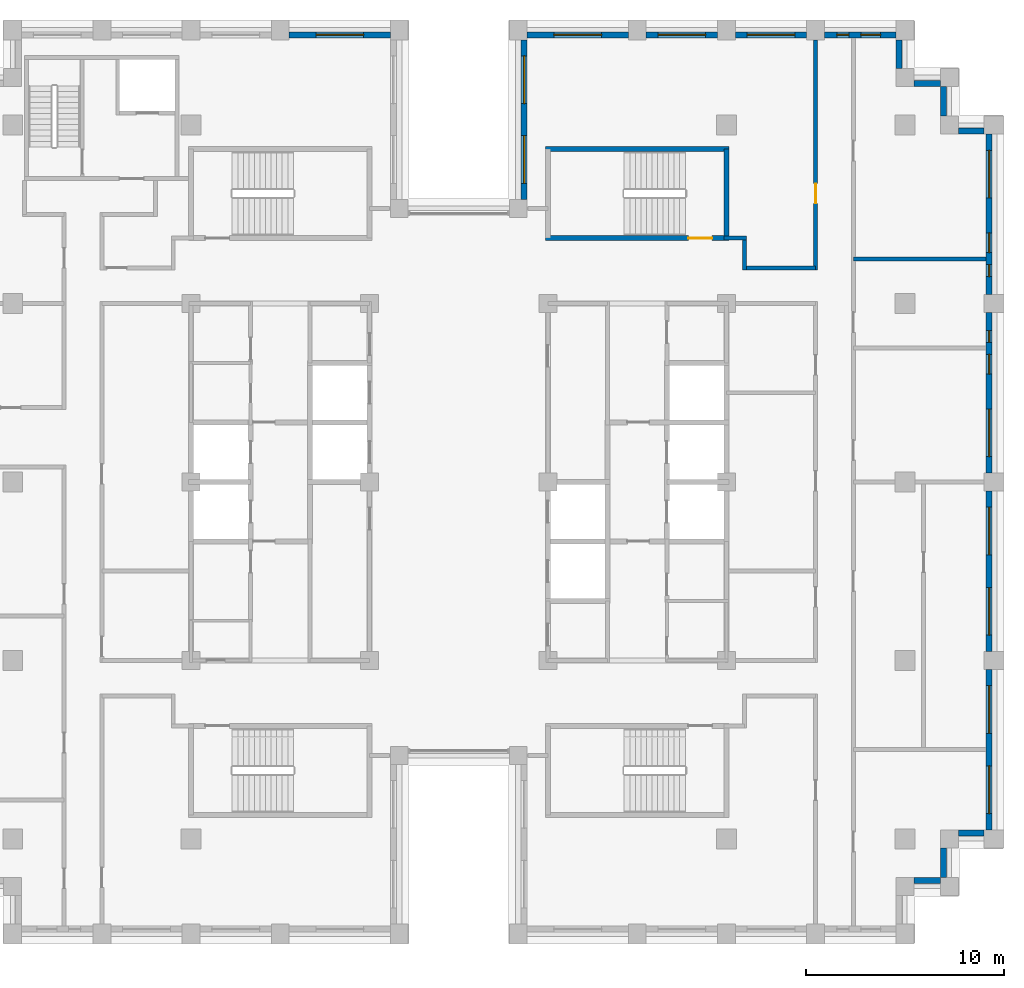
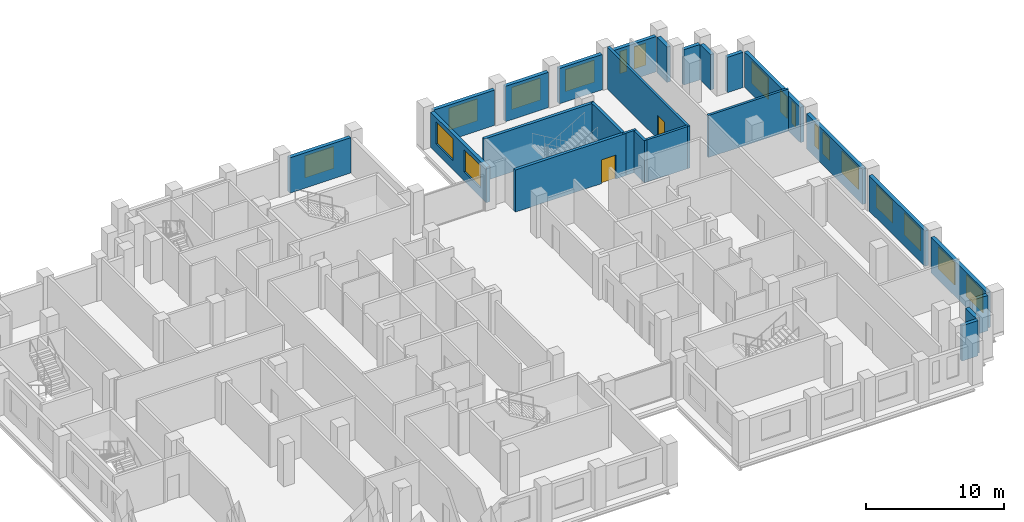
# One storey, part 11 of 15: 25 walls, 18 windows, 2 doors, 20 openings.
"""IFC4 building model written with IfcOpenShell, lengths in metres."""

import ifcopenshell
import ifcopenshell.guid

model = None  # the IFC model being written
_history = None  # IfcOwnerHistory: only IFC2X3 demands one
_inside = {}  # id of a spatial element -> (the spatial element, [elements in it])
_under = {}  # id of a project, library or spatial element -> (it, [spatial elements below it])
_declared = {}  # id of a project -> (the project, [libraries it declares])
_typed = {}  # id of a type object -> (the type object, [elements of that type])
_made_of = {}  # id of a material, layer set ... -> (it, [elements and type objects made of it])


def new_model(schema):
    """Start an empty IFC model of exactly this schema.

    Asked for "IFC4X3", IfcOpenShell would pick the latest addendum, in which some entities
    have other attributes; the version numbers below select the first issue.
    IFC2X3 requires an IfcOwnerHistory on every rooted entity: one is made here for all.
    """
    global model, _history
    if schema == "IFC4X3":
        model = ifcopenshell.file(schema_version=(4, 3, 0, 0))
    else:
        model = ifcopenshell.file(schema=schema)
    _inside.clear()
    _under.clear()
    _declared.clear()
    _typed.clear()
    _made_of.clear()
    _history = None
    if model.schema == "IFC2X3":
        org = make("IfcOrganization", Name="unknown")
        user = make(
            "IfcPersonAndOrganization",
            ThePerson=make("IfcPerson", FamilyName="unknown"),
            TheOrganization=org,
        )
        app = make(
            "IfcApplication",
            ApplicationDeveloper=org,
            Version="unknown",
            ApplicationFullName="unknown",
            ApplicationIdentifier="unknown",
        )
        _history = make(
            "IfcOwnerHistory",
            OwningUser=user,
            OwningApplication=app,
            ChangeAction="ADDED",
            CreationDate=0,
        )
    return model


def make(cls, **values):
    """One entity of the class cls with the attributes given. An attribute that is None is left unset."""
    return model.create_entity(
        cls, **{name: value for name, value in values.items() if value is not None}
    )


def rooted(cls, **values):
    """An entity with a GlobalId (a new one), such as an element, a storey or a relation."""
    return make(cls, GlobalId=ifcopenshell.guid.new(), OwnerHistory=_history, **values)


def si_unit(unit_type, name, prefix=None):
    """IfcSIUnit, for example si_unit("LENGTHUNIT", "METRE", prefix="MILLI")."""
    return make("IfcSIUnit", UnitType=unit_type, Prefix=prefix, Name=name)


def assignment(units):
    """IfcUnitAssignment: the units of a project."""
    return None if units is None else make("IfcUnitAssignment", Units=units)


def point(xyz):
    """IfcCartesianPoint."""
    return None if xyz is None else make("IfcCartesianPoint", Coordinates=xyz)


def direction(xyz):
    """IfcDirection."""
    return None if xyz is None else make("IfcDirection", DirectionRatios=xyz)


def frame(location, z_axis=None, x_axis=None):
    """IfcAxis2Placement3D, a coordinate frame: its origin and axes. An axis left out is left unset."""
    return make(
        "IfcAxis2Placement3D",
        Location=point(location),
        Axis=direction(z_axis),
        RefDirection=direction(x_axis),
    )


def frame_2d(location, x_axis=None):
    """IfcAxis2Placement2D, a coordinate frame in the plane: its origin and x axis."""
    return make(
        "IfcAxis2Placement2D", Location=point(location), RefDirection=direction(x_axis)
    )


def origin():
    """The frame at (0, 0, 0) with its axes left unset."""
    return frame((0.0, 0.0, 0.0))


def place(relative_to, where):
    """IfcLocalPlacement: puts the frame where relative to a parent placement (None: the world)."""
    return make(
        "IfcLocalPlacement", PlacementRelTo=relative_to, RelativePlacement=where
    )


def context(
    kind, dimensions, precision=None, world=None, true_north=None, identifier=None
):
    """IfcGeometricRepresentationContext, for example the 3D "Model" context."""
    return make(
        "IfcGeometricRepresentationContext",
        ContextIdentifier=identifier,
        ContextType=kind,
        CoordinateSpaceDimension=dimensions,
        Precision=precision,
        WorldCoordinateSystem=world,
        TrueNorth=true_north,
    )


def subcontext(parent, identifier, kind, view, scale=None):
    """IfcGeometricRepresentationSubContext, for example "Body" below "Model"."""
    return make(
        "IfcGeometricRepresentationSubContext",
        ContextIdentifier=identifier,
        ContextType=kind,
        ParentContext=parent,
        TargetScale=scale,
        TargetView=view,
    )


def project(units=None, contexts=None):
    """IfcProject with its units and contexts."""
    return rooted(
        "IfcProject",
        Name="project",
        RepresentationContexts=contexts,
        UnitsInContext=assignment(units),
    )


def spatial(cls, under=None, at=None, **own):
    """A site, building, storey or space (cls), placed at a placement, below another one or the project."""
    s = rooted(cls, ObjectPlacement=at, **own)
    if under is not None:
        _under.setdefault(under.id(), (under, []))[1].append(s)
    return s


def profile(cls, at=None, kind="AREA", **sizes):
    """A parametric profile (cls). Its sizes go by their IFC names, for example OverallWidth=200.0."""
    return make(cls, ProfileType=kind, Position=at, **sizes)


def rectangle(**sizes):
    """IfcRectangleProfileDef."""
    return profile("IfcRectangleProfileDef", **sizes)


def extrude(swept, where, along, depth):
    """IfcExtrudedAreaSolid: the profile swept, set in the frame where, extruded along a direction by depth."""
    return make(
        "IfcExtrudedAreaSolid",
        SweptArea=swept,
        Position=where,
        ExtrudedDirection=direction(along),
        Depth=depth,
    )


def shape(context_of_items, identifier, shape_type, items):
    """IfcShapeRepresentation: the items that make up one representation, for example the "Body"."""
    return make(
        "IfcShapeRepresentation",
        ContextOfItems=context_of_items,
        RepresentationIdentifier=identifier,
        RepresentationType=shape_type,
        Items=items,
    )


def material(Name=None, Category=None):
    """IfcMaterial."""
    return make("IfcMaterial", Name=Name, Category=Category)


def layer(
    of_material, thickness, ventilated=None, Name=None, Category=None, Priority=None
):
    """IfcMaterialLayer: one layer of a wall or slab, of a material (None: an air gap)."""
    return make(
        "IfcMaterialLayer",
        Material=of_material,
        LayerThickness=thickness,
        IsVentilated=ventilated,
        Name=Name,
        Category=Category,
        Priority=Priority,
    )


def layer_set(layers, Name=None):
    """IfcMaterialLayerSet."""
    return make("IfcMaterialLayerSet", MaterialLayers=layers, LayerSetName=Name)


def made_of(thing, what):
    """Note that an element or type object is made of a material, layer set ...; save() writes the relation."""
    if what is not None:
        _made_of.setdefault(what.id(), (what, []))[1].append(thing)
    return thing


def type_object(cls, material=None, **own):
    """A type object (cls), such as IfcWallType, which elements share."""
    return made_of(rooted(cls, **own), material)


def element(
    cls,
    number,
    at=None,
    inside=None,
    cuts=None,
    type_object=None,
    material=None,
    context=None,
    identifier="Body",
    shape_type=None,
    held_by="IfcProductDefinitionShape",
    body=None,
    shapes=None,
    **own,
):
    """One element of the class cls, such as IfcWall. Its Tag is "e" and its number.

    at: its placement. inside: the storey or other place that contains it. cuts: it is an
    opening in that element (IfcRelVoidsElement). A single representation is given by context,
    identifier, shape_type and body (its items); several are given by shapes. held_by: the class
    of the entity that holds the representations. save() writes the other relations.
    """
    e = rooted(cls, Tag="e%d" % number, ObjectPlacement=at, **own)
    if body is not None:
        shapes = [shape(context, identifier, shape_type, body)]
    if shapes is not None:
        e.Representation = make(held_by, Representations=shapes)
    if inside is not None:
        _inside.setdefault(inside.id(), (inside, []))[1].append(e)
    if cuts is not None:
        rooted(
            "IfcRelVoidsElement", RelatingBuildingElement=cuts, RelatedOpeningElement=e
        )
    if type_object is not None:
        _typed.setdefault(type_object.id(), (type_object, []))[1].append(e)
    return made_of(e, material)


def fill(opening, filler):
    """IfcRelFillsElement: the door or window that sits in an opening."""
    return rooted(
        "IfcRelFillsElement",
        RelatingOpeningElement=opening,
        RelatedBuildingElement=filler,
    )


def aggregate(whole, parts):
    """IfcRelAggregates: a whole, such as a stair, and the parts it consists of."""
    return rooted("IfcRelAggregates", RelatingObject=whole, RelatedObjects=parts)


def save(model, path):
    """Write the relations noted so far, then the file.

    IfcRelAggregates (storeys below a building ...), IfcRelContainedInSpatialStructure (elements
    in a storey), IfcRelDefinesByType, IfcRelAssociatesMaterial and IfcRelDeclares: one each for
    every whole, place, type object, material and project.
    """
    for whole, parts in _under.values():
        aggregate(whole, parts)
    for where, things in _inside.values():
        rooted(
            "IfcRelContainedInSpatialStructure",
            RelatedElements=things,
            RelatingStructure=where,
        )
    for kind, things in _typed.values():
        rooted("IfcRelDefinesByType", RelatedObjects=things, RelatingType=kind)
    for what, things in _made_of.values():
        rooted("IfcRelAssociatesMaterial", RelatedObjects=things, RelatingMaterial=what)
    for by, libraries in _declared.values():
        rooted("IfcRelDeclares", RelatingContext=by, RelatedDefinitions=libraries)
    model.write(path)


model = new_model("IFC4")

# Units and contexts
model_context = context("Model", 3, precision=1e-05, world=origin(), true_north=direction((0.0, 1.0)))
body_context = subcontext(model_context, "Body", "Model", "MODEL_VIEW")
ifc_project = project(units=[si_unit("LENGTHUNIT", "METRE"), si_unit("AREAUNIT", "SQUARE_METRE"), si_unit("VOLUMEUNIT", "CUBIC_METRE"), si_unit("PLANEANGLEUNIT", "RADIAN"), si_unit("MASSUNIT", "GRAM", prefix="KILO")], contexts=[model_context])

# Site, building, storey
site_placement = place(None, origin())
site = spatial("IfcSite", under=ifc_project, at=site_placement, CompositionType="ELEMENT")
building_placement = place(site_placement, origin())
building = spatial("IfcBuilding", under=site, at=building_placement, Name="Corbelhall Arena Tower", CompositionType="ELEMENT")
storey_placement = place(building_placement, frame((0.0, 0.0, 188.0)))
storey = spatial("IfcBuildingStorey", under=building, at=storey_placement, Name="L38", CompositionType="ELEMENT", Elevation=188.0)

# Walls
ifc_material_1 = material(Name="Precast concrete C40/50 with granite facing", Category="masonry")
ifc_layer_1 = layer(ifc_material_1, 0.300048828125)
ifc_layer_set_1 = layer_set([ifc_layer_1], Name="EV-IW1 Infill panel 300")
wall_type_1 = type_object("IfcWallType", Name="EV-IW1 Infill panel 300", PredefinedType="SOLIDWALL", material=ifc_layer_set_1)
wall_1_placement = place(storey_placement, frame((22.949951171875, -20.10009765625, 0.0), z_axis=(0.0, 0.0, 1.0), x_axis=(1.0, 0.0, 0.0)))
element("IfcWall", 1, at=wall_1_placement, inside=storey, type_object=wall_type_1, Name="Infill panel IW1", PredefinedType="SOLIDWALL", context=body_context, shape_type="SweptSolid", body=[
    extrude(rectangle(XDim=1.35009765625, YDim=0.300048828125, at=frame_2d((0.675048828125, 0.0))), origin(), (0.0, 0.0, 1.0), 3.1201171875),
])
wall_2_placement = place(storey_placement, frame((24.449951171875, -19.949951171875, 0.0), z_axis=(0.0, 0.0, 1.0), x_axis=(0.0, 1.0, 0.0)))
element("IfcWall", 2, at=wall_2_placement, inside=storey, type_object=wall_type_1, Name="Infill panel IW1", PredefinedType="SOLIDWALL", context=body_context, shape_type="SweptSolid", body=[
    extrude(rectangle(XDim=1.5, YDim=0.300048828125, at=frame_2d((0.75, 0.0))), origin(), (0.0, 0.0, 1.0), 3.1201171875),
])
wall_3_placement = place(storey_placement, frame((25.199951171875, -17.699951171875, 0.0), z_axis=(0.0, 0.0, 1.0), x_axis=(1.0, 0.0, 0.0)))
element("IfcWall", 3, at=wall_3_placement, inside=storey, type_object=wall_type_1, Name="Infill panel IW1", PredefinedType="SOLIDWALL", context=body_context, shape_type="SweptSolid", body=[
    extrude(rectangle(XDim=1.300048828125, YDim=0.300048828125, at=frame_2d((0.64990234375, 0.0))), origin(), (0.0, 0.0, 1.0), 3.1201171875),
])

# Wall, openings, windows
wall_4_placement = place(storey_placement, frame((26.75, -17.550048828125, 0.0), z_axis=(0.0, 0.0, 1.0), x_axis=(0.0, 1.0, 0.0)))
wall_4 = element("IfcWall", 4, at=wall_4_placement, inside=storey, type_object=wall_type_1, Name="Infill panel IW1", PredefinedType="SOLIDWALL", context=body_context, shape_type="SweptSolid", body=[
    extrude(rectangle(XDim=8.10009765625, YDim=0.300048828125, at=frame_2d((4.050048828125, 0.0))), origin(), (0.0, 0.0, 1.0), 3.1201171875),
])
opening_1_placement = place(wall_4_placement, frame((0.824951171875, 0.0, 0.800048828125)))
opening_1 = element("IfcOpeningElement", 5, at=opening_1_placement, cuts=wall_4, Name="Opening WN1", PredefinedType="OPENING", context=body_context, shape_type="SweptSolid", body=[
    extrude(rectangle(XDim=2.39990234375, YDim=1.949951171875, at=frame_2d((1.199951171875, 0.97509765625))), frame((0.0, 0.14990234375, 0.0), z_axis=(0.0, -1.0, 0.0), x_axis=(1.0, 0.0, 0.0)), (0.0, 0.0, 1.0), 0.300048828125),
])
opening_2_placement = place(wall_4_placement, frame((4.875, 0.0, 0.800048828125)))
opening_2 = element("IfcOpeningElement", 6, at=opening_2_placement, cuts=wall_4, Name="Opening WN1", PredefinedType="OPENING", context=body_context, shape_type="SweptSolid", body=[
    extrude(rectangle(XDim=2.39990234375, YDim=1.949951171875, at=frame_2d((1.199951171875, 0.97509765625))), frame((0.0, 0.14990234375, 0.0), z_axis=(0.0, -1.0, 0.0), x_axis=(1.0, 0.0, 0.0)), (0.0, 0.0, 1.0), 0.300048828125),
])
ifc_material_2 = material(Name="Aluminium black anodised", Category="aluminium")
window_type_1 = type_object("IfcWindowType", Name="EV-WN1 Office window", PartitioningType="SINGLE_PANEL", PredefinedType="WINDOW", material=ifc_material_2)
window_1_placement = place(opening_1_placement, origin())
window_1 = element("IfcWindow", 7, at=window_1_placement, inside=storey, type_object=window_type_1, Name="Window WN1", OverallHeight=1.949951171875, OverallWidth=2.39990234375, PartitioningType="SINGLE_PANEL", PredefinedType="WINDOW", context=body_context, shape_type="SweptSolid", body=[
    extrude(rectangle(XDim=2.39990234375, YDim=1.949951171875, at=frame_2d((1.199951171875, 0.97509765625))), frame((0.0, 0.030029296875, 0.0), z_axis=(0.0, -1.0, 0.0), x_axis=(1.0, 0.0, 0.0)), (0.0, 0.0, 1.0), 0.06005859375),
])
fill(opening_1, window_1)
window_2_placement = place(opening_2_placement, origin())
window_2 = element("IfcWindow", 8, at=window_2_placement, inside=storey, type_object=window_type_1, Name="Window WN1", OverallHeight=1.949951171875, OverallWidth=2.39990234375, PartitioningType="SINGLE_PANEL", PredefinedType="WINDOW", context=body_context, shape_type="SweptSolid", body=[
    extrude(rectangle(XDim=2.39990234375, YDim=1.949951171875, at=frame_2d((1.199951171875, 0.97509765625))), frame((0.0, 0.030029296875, 0.0), z_axis=(0.0, -1.0, 0.0), x_axis=(1.0, 0.0, 0.0)), (0.0, 0.0, 1.0), 0.06005859375),
])
fill(opening_2, window_2)

wall_5_placement = place(storey_placement, frame((26.75, -8.550048828125, 0.0), z_axis=(0.0, 0.0, 1.0), x_axis=(0.0, 1.0, 0.0)))
wall_5 = element("IfcWall", 9, at=wall_5_placement, inside=storey, type_object=wall_type_1, Name="Infill panel IW1", PredefinedType="SOLIDWALL", context=body_context, shape_type="SweptSolid", body=[
    extrude(rectangle(XDim=8.10009765625, YDim=0.300048828125, at=frame_2d((4.050048828125, 0.0))), origin(), (0.0, 0.0, 1.0), 3.1201171875),
])
opening_3_placement = place(wall_5_placement, frame((0.824951171875, 0.0, 0.800048828125)))
opening_3 = element("IfcOpeningElement", 10, at=opening_3_placement, cuts=wall_5, Name="Opening WN1", PredefinedType="OPENING", context=body_context, shape_type="SweptSolid", body=[
    extrude(rectangle(XDim=2.39990234375, YDim=1.949951171875, at=frame_2d((1.199951171875, 0.97509765625))), frame((0.0, 0.14990234375, 0.0), z_axis=(0.0, -1.0, 0.0), x_axis=(1.0, 0.0, 0.0)), (0.0, 0.0, 1.0), 0.300048828125),
])
opening_4_placement = place(wall_5_placement, frame((4.875, 0.0, 0.800048828125)))
opening_4 = element("IfcOpeningElement", 11, at=opening_4_placement, cuts=wall_5, Name="Opening WN1", PredefinedType="OPENING", context=body_context, shape_type="SweptSolid", body=[
    extrude(rectangle(XDim=2.39990234375, YDim=1.949951171875, at=frame_2d((1.199951171875, 0.97509765625))), frame((0.0, 0.14990234375, 0.0), z_axis=(0.0, -1.0, 0.0), x_axis=(1.0, 0.0, 0.0)), (0.0, 0.0, 1.0), 0.300048828125),
])
window_3_placement = place(opening_3_placement, origin())
window_3 = element("IfcWindow", 12, at=window_3_placement, inside=storey, type_object=window_type_1, Name="Window WN1", OverallHeight=1.949951171875, OverallWidth=2.39990234375, PartitioningType="SINGLE_PANEL", PredefinedType="WINDOW", context=body_context, shape_type="SweptSolid", body=[
    extrude(rectangle(XDim=2.39990234375, YDim=1.949951171875, at=frame_2d((1.199951171875, 0.97509765625))), frame((0.0, 0.030029296875, 0.0), z_axis=(0.0, -1.0, 0.0), x_axis=(1.0, 0.0, 0.0)), (0.0, 0.0, 1.0), 0.06005859375),
])
fill(opening_3, window_3)
window_4_placement = place(opening_4_placement, origin())
window_4 = element("IfcWindow", 13, at=window_4_placement, inside=storey, type_object=window_type_1, Name="Window WN1", OverallHeight=1.949951171875, OverallWidth=2.39990234375, PartitioningType="SINGLE_PANEL", PredefinedType="WINDOW", context=body_context, shape_type="SweptSolid", body=[
    extrude(rectangle(XDim=2.39990234375, YDim=1.949951171875, at=frame_2d((1.199951171875, 0.97509765625))), frame((0.0, 0.030029296875, 0.0), z_axis=(0.0, -1.0, 0.0), x_axis=(1.0, 0.0, 0.0)), (0.0, 0.0, 1.0), 0.06005859375),
])
fill(opening_4, window_4)

wall_6_placement = place(storey_placement, frame((26.75, 0.449951171875, 0.0), z_axis=(0.0, 0.0, 1.0), x_axis=(0.0, 1.0, 0.0)))
wall_6 = element("IfcWall", 14, at=wall_6_placement, inside=storey, type_object=wall_type_1, Name="Infill panel IW1", PredefinedType="SOLIDWALL", context=body_context, shape_type="SweptSolid", body=[
    extrude(rectangle(XDim=8.10009765625, YDim=0.300048828125, at=frame_2d((4.050048828125, 0.0))), origin(), (0.0, 0.0, 1.0), 3.1201171875),
])
opening_5_placement = place(wall_6_placement, frame((0.824951171875, 0.0, 0.800048828125)))
opening_5 = element("IfcOpeningElement", 15, at=opening_5_placement, cuts=wall_6, Name="Opening WN1", PredefinedType="OPENING", context=body_context, shape_type="SweptSolid", body=[
    extrude(rectangle(XDim=2.39990234375, YDim=1.949951171875, at=frame_2d((1.199951171875, 0.97509765625))), frame((0.0, 0.14990234375, 0.0), z_axis=(0.0, -1.0, 0.0), x_axis=(1.0, 0.0, 0.0)), (0.0, 0.0, 1.0), 0.300048828125),
])
opening_6_placement = place(wall_6_placement, frame((4.987548828125, 0.0, 0.800048828125)))
opening_6 = element("IfcOpeningElement", 16, at=opening_6_placement, cuts=wall_6, Name="Opening WN6", PredefinedType="OPENING", context=body_context, shape_type="SweptSolid", body=[
    extrude(rectangle(XDim=1.0, YDim=1.949951171875, at=frame_2d((0.5, 0.97509765625))), frame((0.0, 0.14990234375, 0.0), z_axis=(0.0, -1.0, 0.0), x_axis=(1.0, 0.0, 0.0)), (0.0, 0.0, 1.0), 0.300048828125),
])
opening_7_placement = place(wall_6_placement, frame((6.58740234375, 0.0, 0.800048828125)))
opening_7 = element("IfcOpeningElement", 17, at=opening_7_placement, cuts=wall_6, Name="Opening WN5", PredefinedType="OPENING", context=body_context, shape_type="SweptSolid", body=[
    extrude(rectangle(XDim=0.60009765625, YDim=1.949951171875, at=frame_2d((0.300048828125, 0.97509765625))), frame((0.0, 0.14990234375, 0.0), z_axis=(0.0, -1.0, 0.0), x_axis=(1.0, 0.0, 0.0)), (0.0, 0.0, 1.0), 0.300048828125),
])
window_5_placement = place(opening_5_placement, origin())
window_5 = element("IfcWindow", 18, at=window_5_placement, inside=storey, type_object=window_type_1, Name="Window WN1", OverallHeight=1.949951171875, OverallWidth=2.39990234375, PartitioningType="SINGLE_PANEL", PredefinedType="WINDOW", context=body_context, shape_type="SweptSolid", body=[
    extrude(rectangle(XDim=2.39990234375, YDim=1.949951171875, at=frame_2d((1.199951171875, 0.97509765625))), frame((0.0, 0.030029296875, 0.0), z_axis=(0.0, -1.0, 0.0), x_axis=(1.0, 0.0, 0.0)), (0.0, 0.0, 1.0), 0.06005859375),
])
fill(opening_5, window_5)
window_type_2 = type_object("IfcWindowType", Name="EV-WN5 Office window 600", PartitioningType="SINGLE_PANEL", PredefinedType="WINDOW", material=ifc_material_2)
window_6_placement = place(opening_7_placement, origin())
window_6 = element("IfcWindow", 19, at=window_6_placement, inside=storey, type_object=window_type_2, Name="Window WN5", OverallHeight=1.949951171875, OverallWidth=0.60009765625, PartitioningType="SINGLE_PANEL", PredefinedType="WINDOW", context=body_context, shape_type="SweptSolid", body=[
    extrude(rectangle(XDim=0.60009765625, YDim=1.949951171875, at=frame_2d((0.300048828125, 0.97509765625))), frame((0.0, 0.030029296875, 0.0), z_axis=(0.0, -1.0, 0.0), x_axis=(1.0, 0.0, 0.0)), (0.0, 0.0, 1.0), 0.06005859375),
])
fill(opening_7, window_6)
window_type_3 = type_object("IfcWindowType", Name="EV-WN6 Office window 1000", PartitioningType="SINGLE_PANEL", PredefinedType="WINDOW", material=ifc_material_2)
window_7_placement = place(opening_6_placement, origin())
window_7 = element("IfcWindow", 20, at=window_7_placement, inside=storey, type_object=window_type_3, Name="Window WN6", OverallHeight=1.949951171875, OverallWidth=1.0, PartitioningType="SINGLE_PANEL", PredefinedType="WINDOW", context=body_context, shape_type="SweptSolid", body=[
    extrude(rectangle(XDim=1.0, YDim=1.949951171875, at=frame_2d((0.5, 0.97509765625))), frame((0.0, 0.030029296875, 0.0), z_axis=(0.0, -1.0, 0.0), x_axis=(1.0, 0.0, 0.0)), (0.0, 0.0, 1.0), 0.06005859375),
])
fill(opening_6, window_7)

wall_7_placement = place(storey_placement, frame((26.75, 9.449951171875, 0.0), z_axis=(0.0, 0.0, 1.0), x_axis=(0.0, 1.0, 0.0)))
wall_7 = element("IfcWall", 21, at=wall_7_placement, inside=storey, type_object=wall_type_1, Name="Infill panel IW1", PredefinedType="SOLIDWALL", context=body_context, shape_type="SweptSolid", body=[
    extrude(rectangle(XDim=8.10009765625, YDim=0.300048828125, at=frame_2d((4.050048828125, 0.0))), origin(), (0.0, 0.0, 1.0), 3.1201171875),
])
opening_8_placement = place(wall_7_placement, frame((4.875, 0.0, 0.800048828125)))
opening_8 = element("IfcOpeningElement", 22, at=opening_8_placement, cuts=wall_7, Name="Opening WN1", PredefinedType="OPENING", context=body_context, shape_type="SweptSolid", body=[
    extrude(rectangle(XDim=2.39990234375, YDim=1.949951171875, at=frame_2d((1.199951171875, 0.97509765625))), frame((0.0, 0.14990234375, 0.0), z_axis=(0.0, -1.0, 0.0), x_axis=(1.0, 0.0, 0.0)), (0.0, 0.0, 1.0), 0.300048828125),
])
opening_9_placement = place(wall_7_placement, frame((0.91259765625, 0.0, 0.800048828125)))
opening_9 = element("IfcOpeningElement", 23, at=opening_9_placement, cuts=wall_7, Name="Opening WN5", PredefinedType="OPENING", context=body_context, shape_type="SweptSolid", body=[
    extrude(rectangle(XDim=0.60009765625, YDim=1.949951171875, at=frame_2d((0.300048828125, 0.97509765625))), frame((0.0, 0.14990234375, 0.0), z_axis=(0.0, -1.0, 0.0), x_axis=(1.0, 0.0, 0.0)), (0.0, 0.0, 1.0), 0.300048828125),
])
opening_10_placement = place(wall_7_placement, frame((2.112548828125, 0.0, 0.800048828125)))
opening_10 = element("IfcOpeningElement", 24, at=opening_10_placement, cuts=wall_7, Name="Opening WN6", PredefinedType="OPENING", context=body_context, shape_type="SweptSolid", body=[
    extrude(rectangle(XDim=1.0, YDim=1.949951171875, at=frame_2d((0.5, 0.97509765625))), frame((0.0, 0.14990234375, 0.0), z_axis=(0.0, -1.0, 0.0), x_axis=(1.0, 0.0, 0.0)), (0.0, 0.0, 1.0), 0.300048828125),
])
window_8_placement = place(opening_8_placement, origin())
window_8 = element("IfcWindow", 25, at=window_8_placement, inside=storey, type_object=window_type_1, Name="Window WN1", OverallHeight=1.949951171875, OverallWidth=2.39990234375, PartitioningType="SINGLE_PANEL", PredefinedType="WINDOW", context=body_context, shape_type="SweptSolid", body=[
    extrude(rectangle(XDim=2.39990234375, YDim=1.949951171875, at=frame_2d((1.199951171875, 0.97509765625))), frame((0.0, 0.030029296875, 0.0), z_axis=(0.0, -1.0, 0.0), x_axis=(1.0, 0.0, 0.0)), (0.0, 0.0, 1.0), 0.06005859375),
])
fill(opening_8, window_8)
window_9_placement = place(opening_9_placement, origin())
window_9 = element("IfcWindow", 26, at=window_9_placement, inside=storey, type_object=window_type_2, Name="Window WN5", OverallHeight=1.949951171875, OverallWidth=0.60009765625, PartitioningType="SINGLE_PANEL", PredefinedType="WINDOW", context=body_context, shape_type="SweptSolid", body=[
    extrude(rectangle(XDim=0.60009765625, YDim=1.949951171875, at=frame_2d((0.300048828125, 0.97509765625))), frame((0.0, 0.030029296875, 0.0), z_axis=(0.0, -1.0, 0.0), x_axis=(1.0, 0.0, 0.0)), (0.0, 0.0, 1.0), 0.06005859375),
])
fill(opening_9, window_9)
window_10_placement = place(opening_10_placement, origin())
window_10 = element("IfcWindow", 27, at=window_10_placement, inside=storey, type_object=window_type_3, Name="Window WN6", OverallHeight=1.949951171875, OverallWidth=1.0, PartitioningType="SINGLE_PANEL", PredefinedType="WINDOW", context=body_context, shape_type="SweptSolid", body=[
    extrude(rectangle(XDim=1.0, YDim=1.949951171875, at=frame_2d((0.5, 0.97509765625))), frame((0.0, 0.030029296875, 0.0), z_axis=(0.0, -1.0, 0.0), x_axis=(1.0, 0.0, 0.0)), (0.0, 0.0, 1.0), 0.06005859375),
])
fill(opening_10, window_10)

# Walls
wall_8_placement = place(storey_placement, frame((26.5, 17.699951171875, 0.0), z_axis=(0.0, 0.0, 1.0), x_axis=(-1.0, 0.0, 0.0)))
element("IfcWall", 28, at=wall_8_placement, inside=storey, type_object=wall_type_1, Name="Infill panel IW1", PredefinedType="SOLIDWALL", context=body_context, shape_type="SweptSolid", body=[
    extrude(rectangle(XDim=1.300048828125, YDim=0.300048828125, at=frame_2d((0.64990234375, 0.0))), origin(), (0.0, 0.0, 1.0), 3.1201171875),
])
wall_9_placement = place(storey_placement, frame((24.449951171875, 18.449951171875, 0.0), z_axis=(0.0, 0.0, 1.0), x_axis=(0.0, 1.0, 0.0)))
element("IfcWall", 29, at=wall_9_placement, inside=storey, type_object=wall_type_1, Name="Infill panel IW1", PredefinedType="SOLIDWALL", context=body_context, shape_type="SweptSolid", body=[
    extrude(rectangle(XDim=1.5, YDim=0.300048828125, at=frame_2d((0.75, 0.0))), origin(), (0.0, 0.0, 1.0), 3.1201171875),
])
wall_10_placement = place(storey_placement, frame((24.300048828125, 20.10009765625, 0.0), z_axis=(0.0, 0.0, 1.0), x_axis=(-1.0, 0.0, 0.0)))
element("IfcWall", 30, at=wall_10_placement, inside=storey, type_object=wall_type_1, Name="Infill panel IW1", PredefinedType="SOLIDWALL", context=body_context, shape_type="SweptSolid", body=[
    extrude(rectangle(XDim=1.35009765625, YDim=0.300048828125, at=frame_2d((0.675048828125, 0.0))), origin(), (0.0, 0.0, 1.0), 3.1201171875),
])
wall_11_placement = place(storey_placement, frame((22.199951171875, 20.85009765625, 0.0), z_axis=(0.0, 0.0, 1.0), x_axis=(0.0, 1.0, 0.0)))
element("IfcWall", 31, at=wall_11_placement, inside=storey, type_object=wall_type_1, Name="Infill panel IW1", PredefinedType="SOLIDWALL", context=body_context, shape_type="SweptSolid", body=[
    extrude(rectangle(XDim=1.449951171875, YDim=0.300048828125, at=frame_2d((0.72509765625, 0.0))), origin(), (0.0, 0.0, 1.0), 3.1201171875),
])

# Wall, openings, windows
wall_12_placement = place(storey_placement, frame((22.050048828125, 22.550048828125, 0.0), z_axis=(0.0, 0.0, 1.0), x_axis=(-1.0, 0.0, 0.0)))
wall_12 = element("IfcWall", 32, at=wall_12_placement, inside=storey, type_object=wall_type_1, Name="Infill panel IW1", PredefinedType="SOLIDWALL", context=body_context, shape_type="SweptSolid", body=[
    extrude(rectangle(XDim=3.60009765625, YDim=0.300048828125, at=frame_2d((1.800048828125, 0.0))), origin(), (0.0, 0.0, 1.0), 3.1201171875),
])
opening_11_placement = place(wall_12_placement, frame((0.77490234375, 0.0, 0.800048828125)))
opening_11 = element("IfcOpeningElement", 33, at=opening_11_placement, cuts=wall_12, Name="Opening WN6", PredefinedType="OPENING", context=body_context, shape_type="SweptSolid", body=[
    extrude(rectangle(XDim=1.0, YDim=1.949951171875, at=frame_2d((0.5, 0.97509765625))), frame((0.0, 0.14990234375, 0.0), z_axis=(0.0, -1.0, 0.0), x_axis=(1.0, 0.0, 0.0)), (0.0, 0.0, 1.0), 0.300048828125),
])
opening_12_placement = place(wall_12_placement, frame((2.375, 0.0, 0.800048828125)))
opening_12 = element("IfcOpeningElement", 34, at=opening_12_placement, cuts=wall_12, Name="Opening WN5", PredefinedType="OPENING", context=body_context, shape_type="SweptSolid", body=[
    extrude(rectangle(XDim=0.60009765625, YDim=1.949951171875, at=frame_2d((0.300048828125, 0.97509765625))), frame((0.0, 0.14990234375, 0.0), z_axis=(0.0, -1.0, 0.0), x_axis=(1.0, 0.0, 0.0)), (0.0, 0.0, 1.0), 0.300048828125),
])
window_11_placement = place(opening_12_placement, origin())
window_11 = element("IfcWindow", 35, at=window_11_placement, inside=storey, type_object=window_type_2, Name="Window WN5", OverallHeight=1.949951171875, OverallWidth=0.60009765625, PartitioningType="SINGLE_PANEL", PredefinedType="WINDOW", context=body_context, shape_type="SweptSolid", body=[
    extrude(rectangle(XDim=0.60009765625, YDim=1.949951171875, at=frame_2d((0.300048828125, 0.97509765625))), frame((0.0, 0.030029296875, 0.0), z_axis=(0.0, -1.0, 0.0), x_axis=(1.0, 0.0, 0.0)), (0.0, 0.0, 1.0), 0.06005859375),
])
fill(opening_12, window_11)
window_12_placement = place(opening_11_placement, origin())
window_12 = element("IfcWindow", 36, at=window_12_placement, inside=storey, type_object=window_type_3, Name="Window WN6", OverallHeight=1.949951171875, OverallWidth=1.0, PartitioningType="SINGLE_PANEL", PredefinedType="WINDOW", context=body_context, shape_type="SweptSolid", body=[
    extrude(rectangle(XDim=1.0, YDim=1.949951171875, at=frame_2d((0.5, 0.97509765625))), frame((0.0, 0.030029296875, 0.0), z_axis=(0.0, -1.0, 0.0), x_axis=(1.0, 0.0, 0.0)), (0.0, 0.0, 1.0), 0.06005859375),
])
fill(opening_11, window_12)

# Wall, opening, window
wall_13_placement = place(storey_placement, frame((17.550048828125, 22.550048828125, 0.0), z_axis=(0.0, 0.0, 1.0), x_axis=(-1.0, 0.0, 0.0)))
wall_13 = element("IfcWall", 37, at=wall_13_placement, inside=storey, type_object=wall_type_1, Name="Infill panel IW1", PredefinedType="SOLIDWALL", context=body_context, shape_type="SweptSolid", body=[
    extrude(rectangle(XDim=3.60009765625, YDim=0.300048828125, at=frame_2d((1.800048828125, 0.0))), origin(), (0.0, 0.0, 1.0), 3.1201171875),
])
opening_13_placement = place(wall_13_placement, frame((0.60009765625, 0.0, 0.800048828125)))
opening_13 = element("IfcOpeningElement", 38, at=opening_13_placement, cuts=wall_13, Name="Opening WN1", PredefinedType="OPENING", context=body_context, shape_type="SweptSolid", body=[
    extrude(rectangle(XDim=2.39990234375, YDim=1.949951171875, at=frame_2d((1.199951171875, 0.97509765625))), frame((0.0, 0.14990234375, 0.0), z_axis=(0.0, -1.0, 0.0), x_axis=(1.0, 0.0, 0.0)), (0.0, 0.0, 1.0), 0.300048828125),
])
window_13_placement = place(opening_13_placement, origin())
window_13 = element("IfcWindow", 39, at=window_13_placement, inside=storey, type_object=window_type_1, Name="Window WN1", OverallHeight=1.949951171875, OverallWidth=2.39990234375, PartitioningType="SINGLE_PANEL", PredefinedType="WINDOW", context=body_context, shape_type="SweptSolid", body=[
    extrude(rectangle(XDim=2.39990234375, YDim=1.949951171875, at=frame_2d((1.199951171875, 0.97509765625))), frame((0.0, 0.030029296875, 0.0), z_axis=(0.0, -1.0, 0.0), x_axis=(1.0, 0.0, 0.0)), (0.0, 0.0, 1.0), 0.06005859375),
])
fill(opening_13, window_13)

wall_14_placement = place(storey_placement, frame((13.050048828125, 22.550048828125, 0.0), z_axis=(0.0, 0.0, 1.0), x_axis=(-1.0, 0.0, 0.0)))
wall_14 = element("IfcWall", 40, at=wall_14_placement, inside=storey, type_object=wall_type_1, Name="Infill panel IW1", PredefinedType="SOLIDWALL", context=body_context, shape_type="SweptSolid", body=[
    extrude(rectangle(XDim=3.60009765625, YDim=0.300048828125, at=frame_2d((1.800048828125, 0.0))), origin(), (0.0, 0.0, 1.0), 3.1201171875),
])
opening_14_placement = place(wall_14_placement, frame((0.60009765625, 0.0, 0.800048828125)))
opening_14 = element("IfcOpeningElement", 41, at=opening_14_placement, cuts=wall_14, Name="Opening WN1", PredefinedType="OPENING", context=body_context, shape_type="SweptSolid", body=[
    extrude(rectangle(XDim=2.39990234375, YDim=1.949951171875, at=frame_2d((1.199951171875, 0.97509765625))), frame((0.0, 0.14990234375, 0.0), z_axis=(0.0, -1.0, 0.0), x_axis=(1.0, 0.0, 0.0)), (0.0, 0.0, 1.0), 0.300048828125),
])
window_14_placement = place(opening_14_placement, origin())
window_14 = element("IfcWindow", 42, at=window_14_placement, inside=storey, type_object=window_type_1, Name="Window WN1", OverallHeight=1.949951171875, OverallWidth=2.39990234375, PartitioningType="SINGLE_PANEL", PredefinedType="WINDOW", context=body_context, shape_type="SweptSolid", body=[
    extrude(rectangle(XDim=2.39990234375, YDim=1.949951171875, at=frame_2d((1.199951171875, 0.97509765625))), frame((0.0, 0.030029296875, 0.0), z_axis=(0.0, -1.0, 0.0), x_axis=(1.0, 0.0, 0.0)), (0.0, 0.0, 1.0), 0.06005859375),
])
fill(opening_14, window_14)

wall_15_placement = place(storey_placement, frame((8.550048828125, 22.550048828125, 0.0), z_axis=(0.0, 0.0, 1.0), x_axis=(-1.0, 0.0, 0.0)))
wall_15 = element("IfcWall", 43, at=wall_15_placement, inside=storey, type_object=wall_type_1, Name="Infill panel IW1", PredefinedType="SOLIDWALL", context=body_context, shape_type="SweptSolid", body=[
    extrude(rectangle(XDim=5.10009765625, YDim=0.300048828125, at=frame_2d((2.550048828125, 0.0))), origin(), (0.0, 0.0, 1.0), 3.1201171875),
])
opening_15_placement = place(wall_15_placement, frame((1.35009765625, 0.0, 0.800048828125)))
opening_15 = element("IfcOpeningElement", 44, at=opening_15_placement, cuts=wall_15, Name="Opening WN1", PredefinedType="OPENING", context=body_context, shape_type="SweptSolid", body=[
    extrude(rectangle(XDim=2.39990234375, YDim=1.949951171875, at=frame_2d((1.199951171875, 0.97509765625))), frame((0.0, 0.14990234375, 0.0), z_axis=(0.0, -1.0, 0.0), x_axis=(1.0, 0.0, 0.0)), (0.0, 0.0, 1.0), 0.300048828125),
])
window_15_placement = place(opening_15_placement, origin())
window_15 = element("IfcWindow", 45, at=window_15_placement, inside=storey, type_object=window_type_1, Name="Window WN1", OverallHeight=1.949951171875, OverallWidth=2.39990234375, PartitioningType="SINGLE_PANEL", PredefinedType="WINDOW", context=body_context, shape_type="SweptSolid", body=[
    extrude(rectangle(XDim=2.39990234375, YDim=1.949951171875, at=frame_2d((1.199951171875, 0.97509765625))), frame((0.0, 0.030029296875, 0.0), z_axis=(0.0, -1.0, 0.0), x_axis=(1.0, 0.0, 0.0)), (0.0, 0.0, 1.0), 0.06005859375),
])
fill(opening_15, window_15)

# Wall, openings, windows
wall_16_placement = place(storey_placement, frame((3.300048828125, 22.300048828125, 0.0), z_axis=(0.0, 0.0, 1.0), x_axis=(0.0, -1.0, 0.0)))
wall_16 = element("IfcWall", 46, at=wall_16_placement, inside=storey, type_object=wall_type_1, Name="Infill panel IW1", PredefinedType="SOLIDWALL", context=body_context, shape_type="SweptSolid", body=[
    extrude(rectangle(XDim=8.050048828125, YDim=0.300048828125, at=frame_2d((4.02490234375, 0.0))), origin(), (0.0, 0.0, 1.0), 3.1201171875),
])
opening_16_placement = place(wall_16_placement, frame((0.8125, 0.0, 0.800048828125)))
opening_16 = element("IfcOpeningElement", 47, at=opening_16_placement, cuts=wall_16, Name="Opening WN1", PredefinedType="OPENING", context=body_context, shape_type="SweptSolid", body=[
    extrude(rectangle(XDim=2.39990234375, YDim=1.949951171875, at=frame_2d((1.199951171875, 0.97509765625))), frame((0.0, 0.14990234375, 0.0), z_axis=(0.0, -1.0, 0.0), x_axis=(1.0, 0.0, 0.0)), (0.0, 0.0, 1.0), 0.300048828125),
])
opening_17_placement = place(wall_16_placement, frame((4.83740234375, 0.0, 0.800048828125)))
opening_17 = element("IfcOpeningElement", 48, at=opening_17_placement, cuts=wall_16, Name="Opening WN1", PredefinedType="OPENING", context=body_context, shape_type="SweptSolid", body=[
    extrude(rectangle(XDim=2.39990234375, YDim=1.949951171875, at=frame_2d((1.199951171875, 0.97509765625))), frame((0.0, 0.14990234375, 0.0), z_axis=(0.0, -1.0, 0.0), x_axis=(1.0, 0.0, 0.0)), (0.0, 0.0, 1.0), 0.300048828125),
])
window_16_placement = place(opening_16_placement, origin())
window_16 = element("IfcWindow", 49, at=window_16_placement, inside=storey, type_object=window_type_1, Name="Window WN1", OverallHeight=1.949951171875, OverallWidth=2.39990234375, PartitioningType="SINGLE_PANEL", PredefinedType="WINDOW", context=body_context, shape_type="SweptSolid", body=[
    extrude(rectangle(XDim=2.39990234375, YDim=1.949951171875, at=frame_2d((1.199951171875, 0.97509765625))), frame((0.0, 0.030029296875, 0.0), z_axis=(0.0, -1.0, 0.0), x_axis=(1.0, 0.0, 0.0)), (0.0, 0.0, 1.0), 0.06005859375),
])
fill(opening_16, window_16)
window_17_placement = place(opening_17_placement, origin())
window_17 = element("IfcWindow", 50, at=window_17_placement, inside=storey, type_object=window_type_1, Name="Window WN1", OverallHeight=1.949951171875, OverallWidth=2.39990234375, PartitioningType="SINGLE_PANEL", PredefinedType="WINDOW", context=body_context, shape_type="SweptSolid", body=[
    extrude(rectangle(XDim=2.39990234375, YDim=1.949951171875, at=frame_2d((1.199951171875, 0.97509765625))), frame((0.0, 0.030029296875, 0.0), z_axis=(0.0, -1.0, 0.0), x_axis=(1.0, 0.0, 0.0)), (0.0, 0.0, 1.0), 0.06005859375),
])
fill(opening_17, window_17)

# Wall, opening, window
wall_17_placement = place(storey_placement, frame((-3.449951171875, 22.550048828125, 0.0), z_axis=(0.0, 0.0, 1.0), x_axis=(-1.0, 0.0, 0.0)))
wall_17 = element("IfcWall", 51, at=wall_17_placement, inside=storey, type_object=wall_type_1, Name="Infill panel IW1", PredefinedType="SOLIDWALL", context=body_context, shape_type="SweptSolid", body=[
    extrude(rectangle(XDim=5.10009765625, YDim=0.300048828125, at=frame_2d((2.550048828125, 0.0))), origin(), (0.0, 0.0, 1.0), 3.1201171875),
])
opening_18_placement = place(wall_17_placement, frame((1.35009765625, 0.0, 0.800048828125)))
opening_18 = element("IfcOpeningElement", 52, at=opening_18_placement, cuts=wall_17, Name="Opening WN1", PredefinedType="OPENING", context=body_context, shape_type="SweptSolid", body=[
    extrude(rectangle(XDim=2.39990234375, YDim=1.949951171875, at=frame_2d((1.199951171875, 0.97509765625))), frame((0.0, 0.14990234375, 0.0), z_axis=(0.0, -1.0, 0.0), x_axis=(1.0, 0.0, 0.0)), (0.0, 0.0, 1.0), 0.300048828125),
])
window_18_placement = place(opening_18_placement, origin())
window_18 = element("IfcWindow", 53, at=window_18_placement, inside=storey, type_object=window_type_1, Name="Window WN1", OverallHeight=1.949951171875, OverallWidth=2.39990234375, PartitioningType="SINGLE_PANEL", PredefinedType="WINDOW", context=body_context, shape_type="SweptSolid", body=[
    extrude(rectangle(XDim=2.39990234375, YDim=1.949951171875, at=frame_2d((1.199951171875, 0.97509765625))), frame((0.0, 0.030029296875, 0.0), z_axis=(0.0, -1.0, 0.0), x_axis=(1.0, 0.0, 0.0)), (0.0, 0.0, 1.0), 0.06005859375),
])
fill(opening_18, window_18)

# Walls
ifc_material_3 = material(Name="Gypsum board on steel stud, acoustic", Category="steel")
ifc_layer_2 = layer(ifc_material_3, 0.199951171875)
ifc_layer_set_2 = layer_set([ifc_layer_2], Name="IN-W-DM200")
wall_type_2 = type_object("IfcWallType", Name="IN-W-DM200", PredefinedType="PARTITIONING", material=ifc_layer_set_2)
wall_18_placement = place(storey_placement, frame((13.375, 12.300048828125, 0.0), z_axis=(0.0, 0.0, 1.0), x_axis=(1.0, 0.0, 0.0)))
element("IfcWall", 54, at=wall_18_placement, inside=storey, type_object=wall_type_2, Name="Partition 037", PredefinedType="PARTITIONING", context=body_context, shape_type="SweptSolid", body=[
    extrude(rectangle(XDim=1.125, YDim=0.199951171875, at=frame_2d((0.5625, 0.0))), origin(), (0.0, 0.0, 1.0), 3.719970703125),
])
wall_19_placement = place(storey_placement, frame((14.39990234375, 10.800048828125, 0.0), z_axis=(0.0, 0.0, 1.0), x_axis=(1.0, 0.0, 0.0)))
element("IfcWall", 55, at=wall_19_placement, inside=storey, type_object=wall_type_2, Name="Partition 044", PredefinedType="PARTITIONING", context=body_context, shape_type="SweptSolid", body=[
    extrude(rectangle(XDim=3.60009765625, YDim=0.199951171875, at=frame_2d((1.800048828125, 0.0))), origin(), (0.0, 0.0, 1.0), 3.719970703125),
])
wall_20_placement = place(storey_placement, frame((14.39990234375, 12.300048828125, 0.0), z_axis=(0.0, 0.0, 1.0), x_axis=(0.0, -1.0, 0.0)))
element("IfcWall", 56, at=wall_20_placement, inside=storey, type_object=wall_type_2, Name="Partition 045", PredefinedType="PARTITIONING", context=body_context, shape_type="SweptSolid", body=[
    extrude(rectangle(XDim=1.60009765625, YDim=0.199951171875, at=frame_2d((0.800048828125, 0.0))), origin(), (0.0, 0.0, 1.0), 3.719970703125),
])

# Wall, opening, door
wall_21_placement = place(storey_placement, frame((18.0, 10.699951171875, 0.0), z_axis=(0.0, 0.0, 1.0), x_axis=(0.0, 1.0, 0.0)))
wall_21 = element("IfcWall", 57, at=wall_21_placement, inside=storey, type_object=wall_type_2, Name="Partition 049", PredefinedType="PARTITIONING", context=body_context, shape_type="SweptSolid", body=[
    extrude(rectangle(XDim=11.60009765625, YDim=0.199951171875, at=frame_2d((5.800048828125, 0.0))), origin(), (0.0, 0.0, 1.0), 3.719970703125),
])
opening_19_placement = place(wall_21_placement, frame((3.35009765625, 0.0, 0.0)))
opening_19 = element("IfcOpeningElement", 58, at=opening_19_placement, cuts=wall_21, Name="Opening 11028", PredefinedType="OPENING", context=body_context, shape_type="SweptSolid", body=[
    extrude(rectangle(XDim=1.0, YDim=2.10009765625, at=frame_2d((0.5, 1.050048828125))), frame((0.0, 0.10009765625, 0.0), z_axis=(0.0, -1.0, 0.0), x_axis=(1.0, 0.0, 0.0)), (0.0, 0.0, 1.0), 0.199951171875),
])
ifc_material_4 = material(Name="Steel door set", Category="steel")
door_type_1 = type_object("IfcDoorType", Name="IN-D-SW100", OperationType="NOTDEFINED", PredefinedType="DOOR", material=ifc_material_4)
door_1_placement = place(opening_19_placement, origin())
door_1 = element("IfcDoor", 59, at=door_1_placement, inside=storey, type_object=door_type_1, Name="Door 028", OperationType="SINGLE_SWING_LEFT", OverallHeight=2.10009765625, OverallWidth=1.0, PredefinedType="DOOR", context=body_context, shape_type="SweptSolid", body=[
    extrude(rectangle(XDim=1.0, YDim=2.10009765625, at=frame_2d((0.5, 1.050048828125))), frame((0.0, 0.02490234375, 0.0), z_axis=(0.0, -1.0, 0.0), x_axis=(1.0, 0.0, 0.0)), (0.0, 0.0, 1.0), 0.050048828125),
])
fill(opening_19, door_1)

# Wall
wall_22_placement = place(storey_placement, frame((19.89990234375, 11.25, 0.0), z_axis=(0.0, 0.0, 1.0), x_axis=(1.0, 0.0, 0.0)))
element("IfcWall", 60, at=wall_22_placement, inside=storey, type_object=wall_type_2, Name="Partition 053", PredefinedType="PARTITIONING", context=body_context, shape_type="SweptSolid", body=[
    extrude(rectangle(XDim=6.7001953125, YDim=0.199951171875, at=frame_2d((3.35009765625, 0.0))), origin(), (0.0, 0.0, 1.0), 3.719970703125),
])

# Wall, opening, door
ifc_material_5 = material(Name="Concrete C40/50", Category="concrete")
ifc_layer_3 = layer(ifc_material_5, 0.25)
ifc_layer_set_3 = layer_set([ifc_layer_3], Name="IN-W-ST250")
wall_type_3 = type_object("IfcWallType", Name="IN-W-ST250", PredefinedType="SOLIDWALL", material=ifc_layer_set_3)
wall_23_placement = place(storey_placement, frame((4.375, 12.300048828125, 0.0), z_axis=(0.0, 0.0, 1.0), x_axis=(1.0, 0.0, 0.0)))
wall_23 = element("IfcWall", 61, at=wall_23_placement, inside=storey, type_object=wall_type_3, Name="Shaft wall 111", PredefinedType="SOLIDWALL", context=body_context, shape_type="SweptSolid", body=[
    extrude(rectangle(XDim=9.25, YDim=0.25, at=frame_2d((4.625, 0.0))), origin(), (0.0, 0.0, 1.0), 3.719970703125),
])
opening_20_placement = place(wall_23_placement, frame((7.199951171875, 0.0, 0.0)))
opening_20 = element("IfcOpeningElement", 62, at=opening_20_placement, cuts=wall_23, Name="Opening 11018", PredefinedType="OPENING", context=body_context, shape_type="SweptSolid", body=[
    extrude(rectangle(XDim=1.199951171875, YDim=2.10009765625, at=frame_2d((0.60009765625, 1.050048828125))), frame((0.0, 0.125, 0.0), z_axis=(0.0, -1.0, 0.0), x_axis=(1.0, 0.0, 0.0)), (0.0, 0.0, 1.0), 0.25),
])
door_type_2 = type_object("IfcDoorType", Name="IN-D-ST120", OperationType="NOTDEFINED", PredefinedType="DOOR", material=ifc_material_4)
door_2_placement = place(opening_20_placement, origin())
door_2 = element("IfcDoor", 63, at=door_2_placement, inside=storey, type_object=door_type_2, Name="Door 018", OperationType="SINGLE_SWING_LEFT", OverallHeight=2.10009765625, OverallWidth=1.199951171875, PredefinedType="DOOR", context=body_context, shape_type="SweptSolid", body=[
    extrude(rectangle(XDim=1.199951171875, YDim=2.10009765625, at=frame_2d((0.60009765625, 1.050048828125))), frame((0.0, 0.02490234375, 0.0), z_axis=(0.0, -1.0, 0.0), x_axis=(1.0, 0.0, 0.0)), (0.0, 0.0, 1.0), 0.050048828125),
])
fill(opening_20, door_2)

# Walls
wall_24_placement = place(storey_placement, frame((4.375, 16.800048828125, 0.0), z_axis=(0.0, 0.0, 1.0), x_axis=(1.0, 0.0, 0.0)))
element("IfcWall", 64, at=wall_24_placement, inside=storey, type_object=wall_type_3, Name="Shaft wall 112", PredefinedType="SOLIDWALL", context=body_context, shape_type="SweptSolid", body=[
    extrude(rectangle(XDim=9.25, YDim=0.25, at=frame_2d((4.625, 0.0))), origin(), (0.0, 0.0, 1.0), 3.719970703125),
])
wall_25_placement = place(storey_placement, frame((13.5, 16.800048828125, 0.0), z_axis=(0.0, 0.0, 1.0), x_axis=(0.0, -1.0, 0.0)))
element("IfcWall", 65, at=wall_25_placement, inside=storey, type_object=wall_type_3, Name="Shaft wall 117", PredefinedType="SOLIDWALL", context=body_context, shape_type="SweptSolid", body=[
    extrude(rectangle(XDim=4.5, YDim=0.25, at=frame_2d((2.25, 0.0))), origin(), (0.0, 0.0, 1.0), 3.719970703125),
])

save(model, "model.ifc")
